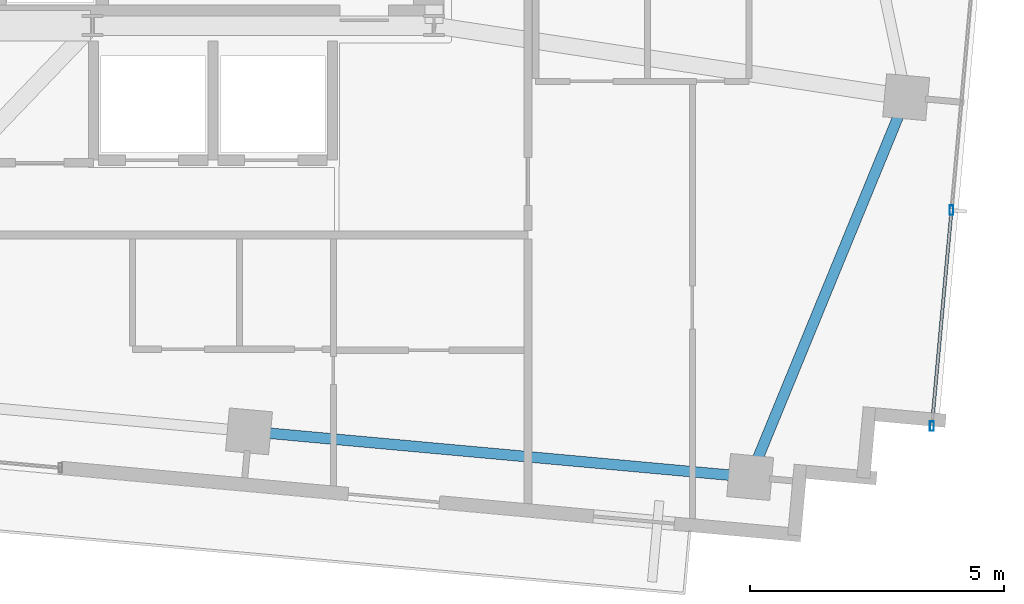
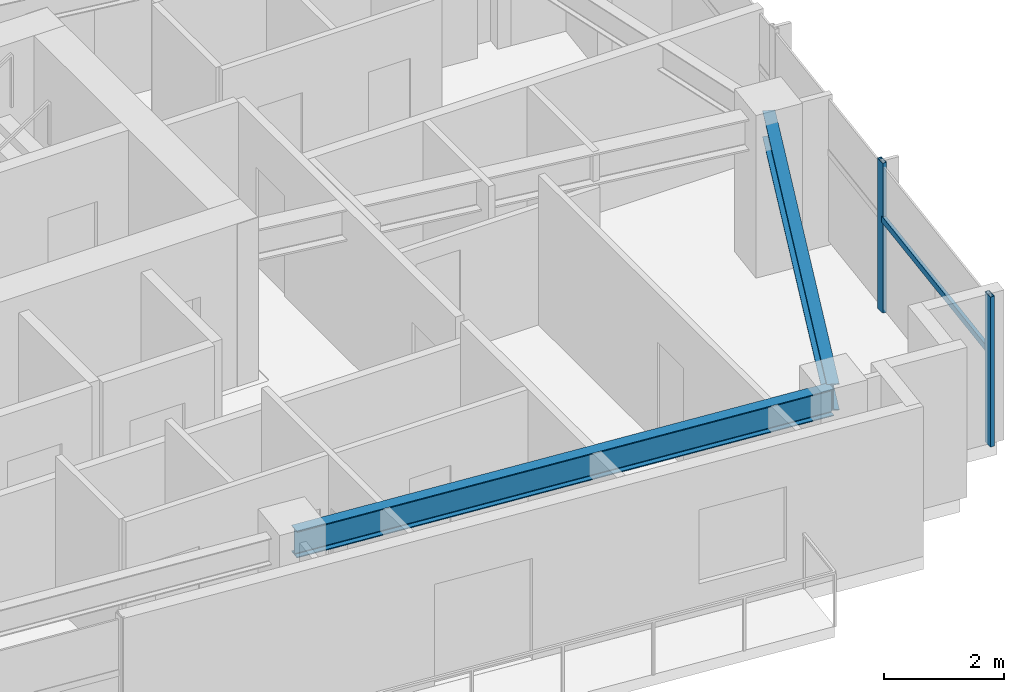
# One storey, part 12 of 22: 3 members, 2 beams, 1 element without a shape of its own.
"""IFC4 building model written with IfcOpenShell, lengths in metres."""

from ifc_helpers import new_model, si_unit, direction, frame, origin, origin_2d, place, context, subcontext, project, spatial, hollow_rectangle, i_section, extrude, source, transform, mapped, material, material_profile, profile_set, type_object, type_shapes, element, aggregate, save


model = new_model("IFC4")

# Units and contexts
model_context = context("Model", 3, precision=1e-05, world=origin(), true_north=direction((0.0, 1.0)))
body_context = subcontext(model_context, "Body", "Model", "MODEL_VIEW")
ifc_project = project(units=[si_unit("LENGTHUNIT", "METRE"), si_unit("AREAUNIT", "SQUARE_METRE"), si_unit("VOLUMEUNIT", "CUBIC_METRE"), si_unit("PLANEANGLEUNIT", "RADIAN"), si_unit("MASSUNIT", "GRAM", prefix="KILO")], contexts=[model_context])

# Site, building, storey
site_placement = place(None, origin())
site = spatial("IfcSite", under=ifc_project, at=site_placement, CompositionType="ELEMENT")
building_placement = place(site_placement, origin())
building = spatial("IfcBuilding", under=site, at=building_placement, Name="Astriad Promenade Condominiums", CompositionType="ELEMENT")
storey_placement = place(building_placement, frame((0.0, 0.0, 249.60009765625)))
storey = spatial("IfcBuildingStorey", under=building, at=storey_placement, Name="L72", CompositionType="ELEMENT", Elevation=249.60009765625)

# Beams
ifc_material_1 = material(Name="Steel ASTM A992 Grade 50", Category="steel")
ifc_material_profile_1 = material_profile(ifc_material_1, i_section(OverallWidth=0.210693359375, OverallDepth=0.53955078125, WebThickness=0.01171875, FlangeThickness=0.018798828125, FilletRadius=0.0166015625, at=origin_2d()), Name="W21X73")
ifc_profile_set_1 = profile_set([ifc_material_profile_1], Name="Steel ASTM A992 Grade 50")
beam_type = type_object("IfcBeamType", Name="STEEL SPANDREL BEAM W21X73", PredefinedType="SPANDREL", material=ifc_profile_set_1)
shared_shape_1 = source(origin(), body_context, "Body", "SweptSolid", [
    extrude(i_section(OverallWidth=0.210693359375, OverallDepth=0.53955078125, WebThickness=0.01171875, FlangeThickness=0.018798828125, FilletRadius=0.0166015625, at=origin_2d()), origin(), (0.0, 0.0, 1.0), 9.820068359375),
])
beam_1_placement = place(storey_placement, frame((41.99951171875, 9.410888671875, 2.77001953125), z_axis=(0.995883214993, -0.090645585088, 0.0), x_axis=(0.090645585088, 0.995883214993, 0.0)))
element("IfcBeam", 1, at=beam_1_placement, inside=storey, type_object=beam_type, Name="Perimeter Spandrel Beam SP-S4-L72", PredefinedType="SPANDREL", context=body_context, shape_type="MappedRepresentation", body=[
    mapped(shared_shape_1, transform((0.0, 0.0, 0.0), scale=1.0)),
])
shared_shape_2 = source(origin(), body_context, "Body", "SweptSolid", [
    extrude(i_section(OverallWidth=0.210693359375, OverallDepth=0.53955078125, WebThickness=0.01171875, FlangeThickness=0.018798828125, FilletRadius=0.0166015625, at=origin_2d()), origin(), (0.0, 0.0, 1.0), 7.998779296875),
])
type_shapes(beam_type, [shared_shape_1, shared_shape_2])
beam_2_placement = place(storey_placement, frame((51.833984375, 8.55419921875, 2.77001953125), z_axis=(0.38000513148, 0.924984378273, 0.0), x_axis=(-0.924984378273, 0.38000513148, 0.0)))
element("IfcBeam", 2, at=beam_2_placement, inside=storey, type_object=beam_type, Name="Perimeter Spandrel Beam SP-E1-L72", PredefinedType="SPANDREL", context=body_context, shape_type="MappedRepresentation", body=[
    mapped(shared_shape_2, transform((0.0, 0.0, 0.0), scale=1.0)),
])

# Curtain wall, members
ifc_material_2 = material(Name="Anodised aluminium Black Dark Glass Unitised", Category="aluminium")
curtain_wall_type = type_object("IfcCurtainWallType", Name="CW-B5-DARK", PredefinedType="USERDEFINED", material=ifc_material_2)
curtain_wall_placement = place(storey_placement, origin())
curtain_wall = element("IfcCurtainWall", 3, at=curtain_wall_placement, inside=storey, type_object=curtain_wall_type, Name="CW-L72-E", ObjectType="UNITISED_CURTAIN_WALL", PredefinedType="USERDEFINED")
ifc_material_3 = material(Name="Anodised aluminium 6063-T6 Black", Category="aluminium")
ifc_material_profile_2 = material_profile(ifc_material_3, hollow_rectangle(XDim=0.074951171875, YDim=0.18505859375, WallThickness=0.00439453125, at=origin_2d()), Name="ALU-MUL-75X185")
ifc_profile_set_2 = profile_set([ifc_material_profile_2], Name="Anodised aluminium 6063-T6 Black")
member_type_1 = type_object("IfcMemberType", Name="MUL-ALU-MUL-75X185", PredefinedType="MULLION", material=ifc_profile_set_2)
shared_shape_3 = source(origin(), body_context, "Body", "SweptSolid", [
    extrude(hollow_rectangle(XDim=0.074951171875, YDim=0.18505859375, WallThickness=0.00439453125, at=origin_2d()), origin(), (0.0, 0.0, 1.0), 3.039794921875),
])
type_shapes(member_type_1, [shared_shape_3])
member_1_placement = place(storey_placement, frame((55.78076171875, 13.766357421875, 0.0), z_axis=(0.0, 0.0, 1.0), x_axis=(1.0, 0.0, 0.0)))
member_1 = element("IfcMember", 4, at=member_1_placement, type_object=member_type_1, Name="CW-L72-E-MUL-02", PredefinedType="MULLION", context=body_context, shape_type="MappedRepresentation", body=[
    mapped(shared_shape_3, transform((0.0, 0.0, 0.0), scale=1.0)),
])
member_2_placement = place(storey_placement, frame((55.39404296875, 9.517333984375, 0.0), z_axis=(0.0, 0.0, 1.0), x_axis=(1.0, 0.0, 0.0)))
member_2 = element("IfcMember", 5, at=member_2_placement, type_object=member_type_1, Name="CW-L72-E-MUL-03", PredefinedType="MULLION", context=body_context, shape_type="MappedRepresentation", body=[
    mapped(shared_shape_3, transform((0.0, 0.0, 0.0), scale=1.0)),
])
ifc_material_profile_3 = material_profile(ifc_material_3, hollow_rectangle(XDim=0.06494140625, YDim=0.1298828125, WallThickness=0.00390625, at=origin_2d()), Name="ALU-TRN-65X130")
ifc_profile_set_3 = profile_set([ifc_material_profile_3], Name="Anodised aluminium 6063-T6 Black")
member_type_2 = type_object("IfcMemberType", Name="TRN-ALU-TRN-65X130", PredefinedType="USERDEFINED", material=ifc_profile_set_3)
shared_shape_4 = source(origin(), body_context, "Body", "SweptSolid", [
    extrude(hollow_rectangle(XDim=0.06494140625, YDim=0.1298828125, WallThickness=0.00390625, at=origin_2d()), origin(), (0.0, 0.0, 1.0), 4.2666015625),
])
type_shapes(member_type_2, [shared_shape_4])
member_3_placement = place(storey_placement, frame((55.78076171875, 13.766357421875, 1.884765625), z_axis=(-0.090638931954, -0.99588382054, 0.0), x_axis=(0.99588382054, -0.090638931954, 0.0)))
member_3 = element("IfcMember", 6, at=member_3_placement, type_object=member_type_2, Name="CW-L72-E-TRN-02-0", ObjectType="TRANSOM", PredefinedType="USERDEFINED", context=body_context, shape_type="MappedRepresentation", body=[
    mapped(shared_shape_4, transform((0.0, 0.0, 0.0), scale=1.0)),
])
aggregate(curtain_wall, [member_1, member_2, member_3])

save(model, "model.ifc")
